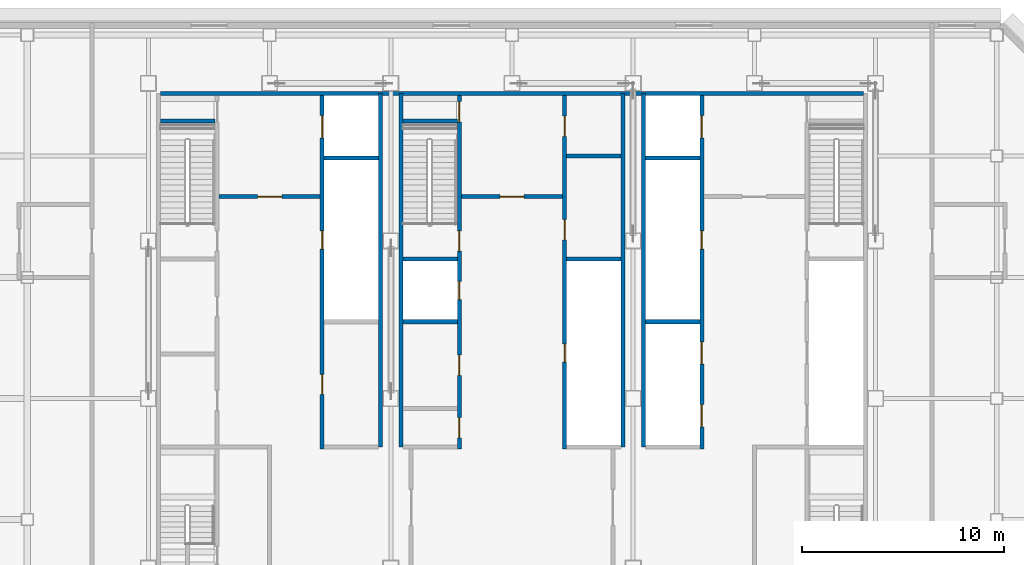
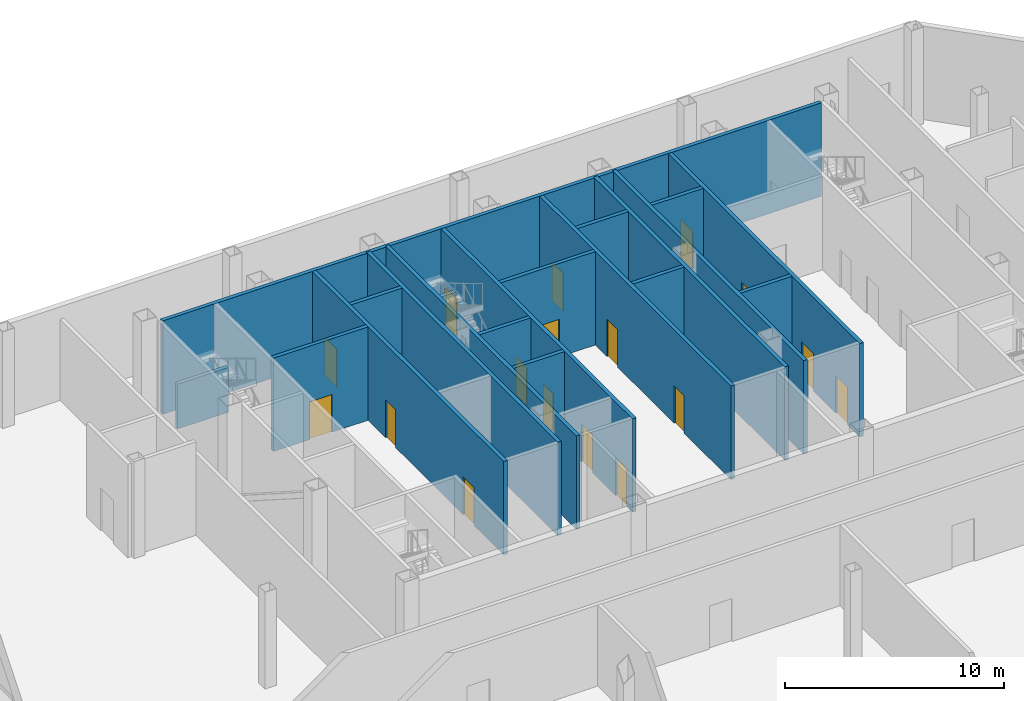
# One storey, part 5 of 11: 20 walls, 17 doors, 17 openings.
"""IFC4 building model written with IfcOpenShell, lengths in metres."""

from ifc_helpers import new_model, si_unit, direction, frame, frame_2d, origin, place, context, subcontext, project, spatial, rectangle, extrude, material, layer, layer_set, type_object, element, fill, save


model = new_model("IFC4")

# Units and contexts
model_context = context("Model", 3, precision=1e-05, world=origin(), true_north=direction((0.0, 1.0)))
body_context = subcontext(model_context, "Body", "Model", "MODEL_VIEW")
ifc_project = project(units=[si_unit("LENGTHUNIT", "METRE"), si_unit("AREAUNIT", "SQUARE_METRE"), si_unit("VOLUMEUNIT", "CUBIC_METRE"), si_unit("PLANEANGLEUNIT", "RADIAN"), si_unit("MASSUNIT", "GRAM", prefix="KILO")], contexts=[model_context])

# Site, building, storey
site_placement = place(None, origin())
site = spatial("IfcSite", under=ifc_project, at=site_placement, CompositionType="ELEMENT")
building_placement = place(site_placement, origin())
building = spatial("IfcBuilding", under=site, at=building_placement, Name="Sorahane Residences", CompositionType="ELEMENT")
storey_placement = place(building_placement, frame((0.0, 0.0, 234.199951171875)))
storey = spatial("IfcBuildingStorey", under=building, at=storey_placement, Name="L55", CompositionType="ELEMENT", Elevation=234.199951171875)

# Walls
ifc_material_1 = material(Name="Concrete C30", Category="concrete")
ifc_layer_1 = layer(ifc_material_1, 0.199951171875)
ifc_layer_set_1 = layer_set([ifc_layer_1], Name="Core face wall 200 EI 180")
wall_type_1 = type_object("IfcWallType", Name="Core face wall 200 EI 180", PredefinedType="SOLIDWALL", material=ifc_layer_set_1)
wall_1_placement = place(storey_placement, frame((6.60009765625, 45.10009765625, 0.0), z_axis=(0.0, 0.0, 1.0), x_axis=(1.0, 0.0, 0.0)))
element("IfcWall", 1, at=wall_1_placement, inside=storey, type_object=wall_type_1, Name="L55 core face wall", PredefinedType="SOLIDWALL", context=body_context, shape_type="SweptSolid", body=[
    extrude(rectangle(XDim=34.7998046875, YDim=0.199951171875, at=frame_2d((17.39990234375, 0.0))), origin(), (0.0, 0.0, 1.0), 5.219970703125),
])
for number, where, z_axis, x_axis, name in (
    (2, (17.5, 27.60009765625, 0.0), (0.0, 0.0, 1.0), (0.0, 1.0, 0.0), "L55 core face wall"),
    (3, (18.5, 27.60009765625, 0.0), (0.0, 0.0, 1.0), (0.0, 1.0, 0.0), "L55 core face wall"),
    (4, (29.5, 27.60009765625, 0.0), (0.0, 0.0, 1.0), (0.0, 1.0, 0.0), "L55 core face wall"),
    (5, (30.5, 27.60009765625, 0.0), (0.0, 0.0, 1.0), (0.0, 1.0, 0.0), "L55 core face wall"),
):
    element("IfcWall", number, at=place(storey_placement, frame(where, z_axis=z_axis, x_axis=x_axis)), inside=storey, type_object=wall_type_1, Name=name, PredefinedType="SOLIDWALL", context=body_context, shape_type="SweptSolid", body=[
        extrude(rectangle(XDim=17.5, YDim=0.199951171875, at=frame_2d((8.75, 0.0))), origin(), (0.0, 0.0, 1.0), 5.219970703125),
    ])

# Wall, opening, door
ifc_material_2 = material(Name="Concrete C30", Category="concrete")
ifc_layer_2 = layer(ifc_material_2, 0.199951171875)
ifc_layer_set_2 = layer_set([ifc_layer_2], Name="Front room wall 200 EI 120")
wall_type_2 = type_object("IfcWallType", Name="Front room wall 200 EI 120", PredefinedType="PARTITIONING", material=ifc_layer_set_2)
wall_2_placement = place(storey_placement, frame((21.5, 40.0, 0.0), z_axis=(0.0, 0.0, 1.0), x_axis=(1.0, 0.0, 0.0)))
wall_2 = element("IfcWall", 6, at=wall_2_placement, inside=storey, type_object=wall_type_2, Name="L55 front room wall", PredefinedType="PARTITIONING", context=body_context, shape_type="SweptSolid", body=[
    extrude(rectangle(XDim=5.0, YDim=0.199951171875, at=frame_2d((2.5, 0.0))), origin(), (0.0, 0.0, 1.0), 5.219970703125),
])
opening_1_placement = place(wall_2_placement, frame((1.89990234375, 0.0, 0.0)))
opening_1 = element("IfcOpeningElement", 7, at=opening_1_placement, cuts=wall_2, Name="Opening L55-C09", PredefinedType="OPENING", context=body_context, shape_type="SweptSolid", body=[
    extrude(rectangle(XDim=1.199951171875, YDim=2.10009765625, at=frame_2d((0.60009765625, 1.050048828125))), frame((0.0, 0.10986328125, 0.0), z_axis=(0.0, -1.0, 0.0), x_axis=(1.0, 0.0, 0.0)), (0.0, 0.0, 1.0), 0.219970703125),
])
ifc_material_3 = material(Name="Steel", Category="steel")
door_type_1 = type_object("IfcDoorType", Name="Front room door 1200x2100 FD120", OperationType="NOTDEFINED", PredefinedType="DOOR", material=ifc_material_3)
door_1_placement = place(opening_1_placement, frame((1.199951171875, 0.0, 0.0), z_axis=(0.0, 0.0, 1.0), x_axis=(-1.0, 0.0, 0.0)))
door_1 = element("IfcDoor", 8, at=door_1_placement, inside=storey, type_object=door_type_1, Name="Front room door Stair S3 vestibule L55", OperationType="DOUBLE_DOOR_SINGLE_SWING", OverallHeight=2.10009765625, OverallWidth=1.199951171875, PredefinedType="DOOR", context=body_context, shape_type="SweptSolid", body=[
    extrude(rectangle(XDim=1.199951171875, YDim=2.10009765625, at=frame_2d((0.60009765625, 1.050048828125))), frame((0.0, 0.02490234375, 0.0), z_axis=(0.0, -1.0, 0.0), x_axis=(1.0, 0.0, 0.0)), (0.0, 0.0, 1.0), 0.050048828125),
])
fill(opening_1, door_1)

wall_3_placement = place(storey_placement, frame((9.5, 40.0, 0.0), z_axis=(0.0, 0.0, 1.0), x_axis=(1.0, 0.0, 0.0)))
wall_3 = element("IfcWall", 9, at=wall_3_placement, inside=storey, type_object=wall_type_2, Name="L55 front room wall", PredefinedType="PARTITIONING", context=body_context, shape_type="SweptSolid", body=[
    extrude(rectangle(XDim=5.0, YDim=0.199951171875, at=frame_2d((2.5, 0.0))), origin(), (0.0, 0.0, 1.0), 5.219970703125),
])
opening_2_placement = place(wall_3_placement, frame((1.89990234375, 0.0, 0.0)))
opening_2 = element("IfcOpeningElement", 10, at=opening_2_placement, cuts=wall_3, Name="Opening L55-C08", PredefinedType="OPENING", context=body_context, shape_type="SweptSolid", body=[
    extrude(rectangle(XDim=1.199951171875, YDim=2.10009765625, at=frame_2d((0.60009765625, 1.050048828125))), frame((0.0, 0.10986328125, 0.0), z_axis=(0.0, -1.0, 0.0), x_axis=(1.0, 0.0, 0.0)), (0.0, 0.0, 1.0), 0.219970703125),
])
door_2_placement = place(opening_2_placement, frame((1.199951171875, 0.0, 0.0), z_axis=(0.0, 0.0, 1.0), x_axis=(-1.0, 0.0, 0.0)))
door_2 = element("IfcDoor", 11, at=door_2_placement, inside=storey, type_object=door_type_1, Name="Front room door Firefighting lobby FF1 front room L55", OperationType="DOUBLE_DOOR_SINGLE_SWING", OverallHeight=2.10009765625, OverallWidth=1.199951171875, PredefinedType="DOOR", context=body_context, shape_type="SweptSolid", body=[
    extrude(rectangle(XDim=1.199951171875, YDim=2.10009765625, at=frame_2d((0.60009765625, 1.050048828125))), frame((0.0, 0.02490234375, 0.0), z_axis=(0.0, -1.0, 0.0), x_axis=(1.0, 0.0, 0.0)), (0.0, 0.0, 1.0), 0.050048828125),
])
fill(opening_2, door_2)

# Wall, openings, doors
ifc_material_4 = material(Name="Concrete C30", Category="concrete")
ifc_layer_3 = layer(ifc_material_4, 0.199951171875)
ifc_layer_set_3 = layer_set([ifc_layer_3], Name="Lift shaft wall 200 EI 120")
wall_type_3 = type_object("IfcWallType", Name="Lift shaft wall 200 EI 120", PredefinedType="SOLIDWALL", material=ifc_layer_set_3)
wall_4_placement = place(storey_placement, frame((14.60009765625, 27.5, 0.0), z_axis=(0.0, 0.0, 1.0), x_axis=(0.0, 1.0, 0.0)))
wall_4 = element("IfcWall", 12, at=wall_4_placement, inside=storey, type_object=wall_type_3, Name="L55 lift shaft wall", PredefinedType="SOLIDWALL", context=body_context, shape_type="SweptSolid", body=[
    extrude(rectangle(XDim=17.5, YDim=0.199951171875, at=frame_2d((8.75, 0.0))), origin(), (0.0, 0.0, 1.0), 5.219970703125),
])
opening_3_placement = place(wall_4_placement, frame((15.39990234375, 0.0, 0.0)))
opening_3 = element("IfcOpeningElement", 13, at=opening_3_placement, cuts=wall_4, Name="Opening L55-C17", PredefinedType="OPENING", context=body_context, shape_type="SweptSolid", body=[
    extrude(rectangle(XDim=1.10009765625, YDim=2.10009765625, at=frame_2d((0.550048828125, 1.050048828125))), frame((0.0, 0.10986328125, 0.0), z_axis=(0.0, -1.0, 0.0), x_axis=(1.0, 0.0, 0.0)), (0.0, 0.0, 1.0), 0.219970703125),
])
opening_4_placement = place(wall_4_placement, frame((2.699951171875, 0.0, 0.0)))
opening_4 = element("IfcOpeningElement", 14, at=opening_4_placement, cuts=wall_4, Name="Opening L55-C20", PredefinedType="OPENING", context=body_context, shape_type="SweptSolid", body=[
    extrude(rectangle(XDim=1.0, YDim=2.10009765625, at=frame_2d((0.5, 1.050048828125))), frame((0.0, 0.10986328125, 0.0), z_axis=(0.0, -1.0, 0.0), x_axis=(1.0, 0.0, 0.0)), (0.0, 0.0, 1.0), 0.219970703125),
])
opening_5_placement = place(wall_4_placement, frame((9.89990234375, 0.0, 0.0)))
opening_5 = element("IfcOpeningElement", 15, at=opening_5_placement, cuts=wall_4, Name="Opening L55-C33", PredefinedType="OPENING", context=body_context, shape_type="SweptSolid", body=[
    extrude(rectangle(XDim=0.89990234375, YDim=2.10009765625, at=frame_2d((0.449951171875, 1.050048828125))), frame((0.0, 0.10986328125, 0.0), z_axis=(0.0, -1.0, 0.0), x_axis=(1.0, 0.0, 0.0)), (0.0, 0.0, 1.0), 0.219970703125),
])
ifc_material_5 = material(Name="Aluminium and stainless steel", Category="steel")
door_type_2 = type_object("IfcDoorType", Name="Lift landing door 1100x2100 E 60", OperationType="NOTDEFINED", PredefinedType="DOOR", material=ifc_material_5)
door_3_placement = place(opening_3_placement, origin())
door_3 = element("IfcDoor", 16, at=door_3_placement, inside=storey, type_object=door_type_2, Name="Lift landing door FF1 L55", OperationType="DOUBLE_DOOR_SLIDING", OverallHeight=2.10009765625, OverallWidth=1.10009765625, PredefinedType="DOOR", context=body_context, shape_type="SweptSolid", body=[
    extrude(rectangle(XDim=1.10009765625, YDim=2.10009765625, at=frame_2d((0.550048828125, 1.050048828125))), frame((0.0, 0.02490234375, 0.0), z_axis=(0.0, -1.0, 0.0), x_axis=(1.0, 0.0, 0.0)), (0.0, 0.0, 1.0), 0.050048828125),
])
fill(opening_3, door_3)
ifc_material_6 = material(Name="Steel", Category="steel")
door_type_3 = type_object("IfcDoorType", Name="Riser door 900x2100 FD120", OperationType="NOTDEFINED", PredefinedType="DOOR", material=ifc_material_6)
door_4_placement = place(opening_5_placement, origin())
door_4 = element("IfcDoor", 17, at=door_4_placement, inside=storey, type_object=door_type_3, Name="Riser door R1 L55", OperationType="SINGLE_SWING_LEFT", OverallHeight=2.10009765625, OverallWidth=0.89990234375, PredefinedType="DOOR", context=body_context, shape_type="SweptSolid", body=[
    extrude(rectangle(XDim=0.89990234375, YDim=2.10009765625, at=frame_2d((0.449951171875, 1.050048828125))), frame((0.0, 0.02490234375, 0.0), z_axis=(0.0, -1.0, 0.0), x_axis=(1.0, 0.0, 0.0)), (0.0, 0.0, 1.0), 0.050048828125),
])
fill(opening_5, door_4)
ifc_material_7 = material(Name="Steel", Category="steel")
door_type_4 = type_object("IfcDoorType", Name="Service room door 1000x2100 FD60", OperationType="NOTDEFINED", PredefinedType="DOOR", material=ifc_material_7)
door_5_placement = place(opening_4_placement, frame((1.0, 0.0, 0.0), z_axis=(0.0, 0.0, 1.0), x_axis=(-1.0, 0.0, 0.0)))
door_5 = element("IfcDoor", 18, at=door_5_placement, inside=storey, type_object=door_type_4, Name="Service room door Audio room L55", OperationType="SINGLE_SWING_RIGHT", OverallHeight=2.10009765625, OverallWidth=1.0, PredefinedType="DOOR", context=body_context, shape_type="SweptSolid", body=[
    extrude(rectangle(XDim=1.0, YDim=2.10009765625, at=frame_2d((0.5, 1.050048828125))), frame((0.0, 0.02490234375, 0.0), z_axis=(0.0, -1.0, 0.0), x_axis=(1.0, 0.0, 0.0)), (0.0, 0.0, 1.0), 0.050048828125),
])
fill(opening_4, door_5)

wall_5_placement = place(storey_placement, frame((33.39990234375, 27.5, 0.0), z_axis=(0.0, 0.0, 1.0), x_axis=(0.0, 1.0, 0.0)))
wall_5 = element("IfcWall", 19, at=wall_5_placement, inside=storey, type_object=wall_type_3, Name="L55 lift shaft wall", PredefinedType="SOLIDWALL", context=body_context, shape_type="SweptSolid", body=[
    extrude(rectangle(XDim=17.5, YDim=0.199951171875, at=frame_2d((8.75, 0.0))), origin(), (0.0, 0.0, 1.0), 5.219970703125),
])
opening_6_placement = place(wall_5_placement, frame((1.10009765625, 0.0, 0.0)))
opening_6 = element("IfcOpeningElement", 20, at=opening_6_placement, cuts=wall_5, Name="Opening L55-C14", PredefinedType="OPENING", context=body_context, shape_type="SweptSolid", body=[
    extrude(rectangle(XDim=1.10009765625, YDim=2.10009765625, at=frame_2d((0.550048828125, 1.050048828125))), frame((0.0, 0.10986328125, 0.0), z_axis=(0.0, -1.0, 0.0), x_axis=(1.0, 0.0, 0.0)), (0.0, 0.0, 1.0), 0.219970703125),
])
opening_7_placement = place(wall_5_placement, frame((4.199951171875, 0.0, 0.0)))
opening_7 = element("IfcOpeningElement", 21, at=opening_7_placement, cuts=wall_5, Name="Opening L55-C15", PredefinedType="OPENING", context=body_context, shape_type="SweptSolid", body=[
    extrude(rectangle(XDim=1.10009765625, YDim=2.10009765625, at=frame_2d((0.550048828125, 1.050048828125))), frame((0.0, 0.10986328125, 0.0), z_axis=(0.0, -1.0, 0.0), x_axis=(1.0, 0.0, 0.0)), (0.0, 0.0, 1.0), 0.219970703125),
])
opening_8_placement = place(wall_5_placement, frame((15.39990234375, 0.0, 0.0)))
opening_8 = element("IfcOpeningElement", 22, at=opening_8_placement, cuts=wall_5, Name="Opening L55-C16", PredefinedType="OPENING", context=body_context, shape_type="SweptSolid", body=[
    extrude(rectangle(XDim=1.10009765625, YDim=2.10009765625, at=frame_2d((0.550048828125, 1.050048828125))), frame((0.0, 0.10986328125, 0.0), z_axis=(0.0, -1.0, 0.0), x_axis=(1.0, 0.0, 0.0)), (0.0, 0.0, 1.0), 0.219970703125),
])
opening_9_placement = place(wall_5_placement, frame((9.89990234375, 0.0, 0.0)))
opening_9 = element("IfcOpeningElement", 23, at=opening_9_placement, cuts=wall_5, Name="Opening L55-C34", PredefinedType="OPENING", context=body_context, shape_type="SweptSolid", body=[
    extrude(rectangle(XDim=0.89990234375, YDim=2.10009765625, at=frame_2d((0.449951171875, 1.050048828125))), frame((0.0, 0.10986328125, 0.0), z_axis=(0.0, -1.0, 0.0), x_axis=(1.0, 0.0, 0.0)), (0.0, 0.0, 1.0), 0.219970703125),
])
door_6_placement = place(opening_6_placement, origin())
door_6 = element("IfcDoor", 24, at=door_6_placement, inside=storey, type_object=door_type_2, Name="Lift landing door HR4 L55", OperationType="DOUBLE_DOOR_SLIDING", OverallHeight=2.10009765625, OverallWidth=1.10009765625, PredefinedType="DOOR", context=body_context, shape_type="SweptSolid", body=[
    extrude(rectangle(XDim=1.10009765625, YDim=2.10009765625, at=frame_2d((0.550048828125, 1.050048828125))), frame((0.0, 0.02490234375, 0.0), z_axis=(0.0, -1.0, 0.0), x_axis=(1.0, 0.0, 0.0)), (0.0, 0.0, 1.0), 0.050048828125),
])
fill(opening_6, door_6)
door_7_placement = place(opening_7_placement, origin())
door_7 = element("IfcDoor", 25, at=door_7_placement, inside=storey, type_object=door_type_2, Name="Lift landing door HR5 L55", OperationType="DOUBLE_DOOR_SLIDING", OverallHeight=2.10009765625, OverallWidth=1.10009765625, PredefinedType="DOOR", context=body_context, shape_type="SweptSolid", body=[
    extrude(rectangle(XDim=1.10009765625, YDim=2.10009765625, at=frame_2d((0.550048828125, 1.050048828125))), frame((0.0, 0.02490234375, 0.0), z_axis=(0.0, -1.0, 0.0), x_axis=(1.0, 0.0, 0.0)), (0.0, 0.0, 1.0), 0.050048828125),
])
fill(opening_7, door_7)
door_8_placement = place(opening_8_placement, origin())
door_8 = element("IfcDoor", 26, at=door_8_placement, inside=storey, type_object=door_type_2, Name="Lift landing door FF2 L55", OperationType="DOUBLE_DOOR_SLIDING", OverallHeight=2.10009765625, OverallWidth=1.10009765625, PredefinedType="DOOR", context=body_context, shape_type="SweptSolid", body=[
    extrude(rectangle(XDim=1.10009765625, YDim=2.10009765625, at=frame_2d((0.550048828125, 1.050048828125))), frame((0.0, 0.02490234375, 0.0), z_axis=(0.0, -1.0, 0.0), x_axis=(1.0, 0.0, 0.0)), (0.0, 0.0, 1.0), 0.050048828125),
])
fill(opening_8, door_8)
door_9_placement = place(opening_9_placement, frame((0.89990234375, 0.0, 0.0), z_axis=(0.0, 0.0, 1.0), x_axis=(-1.0, 0.0, 0.0)))
door_9 = element("IfcDoor", 27, at=door_9_placement, inside=storey, type_object=door_type_3, Name="Riser door R2 L55", OperationType="SINGLE_SWING_LEFT", OverallHeight=2.10009765625, OverallWidth=0.89990234375, PredefinedType="DOOR", context=body_context, shape_type="SweptSolid", body=[
    extrude(rectangle(XDim=0.89990234375, YDim=2.10009765625, at=frame_2d((0.449951171875, 1.050048828125))), frame((0.0, 0.02490234375, 0.0), z_axis=(0.0, -1.0, 0.0), x_axis=(1.0, 0.0, 0.0)), (0.0, 0.0, 1.0), 0.050048828125),
])
fill(opening_9, door_9)

# Walls
for number, where, z_axis, x_axis, name in (
    (28, (30.60009765625, 33.800048828125, 0.0), (0.0, 0.0, 1.0), (1.0, 0.0, 0.0), "L55 lift shaft wall"),
    (29, (14.699951171875, 41.89990234375, 0.0), (0.0, 0.0, 1.0), (1.0, 0.0, 0.0), "L55 lift shaft wall"),
    (30, (30.60009765625, 41.89990234375, 0.0), (0.0, 0.0, 1.0), (1.0, 0.0, 0.0), "L55 lift shaft wall"),
):
    element("IfcWall", number, at=place(storey_placement, frame(where, z_axis=z_axis, x_axis=x_axis)), inside=storey, type_object=wall_type_3, Name=name, PredefinedType="SOLIDWALL", context=body_context, shape_type="SweptSolid", body=[
        extrude(rectangle(XDim=2.699951171875, YDim=0.199951171875, at=frame_2d((1.35009765625, 0.0))), origin(), (0.0, 0.0, 1.0), 5.219970703125),
    ])

# Wall, openings, doors
ifc_material_8 = material(Name="Concrete C30", Category="concrete")
ifc_layer_4 = layer(ifc_material_8, 0.199951171875)
ifc_layer_set_4 = layer_set([ifc_layer_4], Name="Riser shaft wall 200 EI 120")
wall_type_4 = type_object("IfcWallType", Name="Riser shaft wall 200 EI 120", PredefinedType="SOLIDWALL", material=ifc_layer_set_4)
wall_6_placement = place(storey_placement, frame((26.60009765625, 27.5, 0.0), z_axis=(0.0, 0.0, 1.0), x_axis=(0.0, 1.0, 0.0)))
wall_6 = element("IfcWall", 31, at=wall_6_placement, inside=storey, type_object=wall_type_4, Name="L55 riser wall", PredefinedType="SOLIDWALL", context=body_context, shape_type="SweptSolid", body=[
    extrude(rectangle(XDim=17.5, YDim=0.199951171875, at=frame_2d((8.75, 0.0))), origin(), (0.0, 0.0, 1.0), 5.219970703125),
])
opening_10_placement = place(wall_6_placement, frame((4.300048828125, 0.0, 0.0)))
opening_10 = element("IfcOpeningElement", 32, at=opening_10_placement, cuts=wall_6, Name="Opening L55-C36", PredefinedType="OPENING", context=body_context, shape_type="SweptSolid", body=[
    extrude(rectangle(XDim=0.89990234375, YDim=2.10009765625, at=frame_2d((0.449951171875, 1.050048828125))), frame((0.0, 0.10986328125, 0.0), z_axis=(0.0, -1.0, 0.0), x_axis=(1.0, 0.0, 0.0)), (0.0, 0.0, 1.0), 0.219970703125),
])
opening_11_placement = place(wall_6_placement, frame((10.35009765625, 0.0, 0.0)))
opening_11 = element("IfcOpeningElement", 33, at=opening_11_placement, cuts=wall_6, Name="Opening L55-C37", PredefinedType="OPENING", context=body_context, shape_type="SweptSolid", body=[
    extrude(rectangle(XDim=1.0, YDim=2.10009765625, at=frame_2d((0.5, 1.050048828125))), frame((0.0, 0.10986328125, 0.0), z_axis=(0.0, -1.0, 0.0), x_axis=(1.0, 0.0, 0.0)), (0.0, 0.0, 1.0), 0.219970703125),
])
opening_12_placement = place(wall_6_placement, frame((15.47509765625, 0.0, 0.0)))
opening_12 = element("IfcOpeningElement", 34, at=opening_12_placement, cuts=wall_6, Name="Opening L55-C38", PredefinedType="OPENING", context=body_context, shape_type="SweptSolid", body=[
    extrude(rectangle(XDim=1.0, YDim=2.10009765625, at=frame_2d((0.5, 1.050048828125))), frame((0.0, 0.10986328125, 0.0), z_axis=(0.0, -1.0, 0.0), x_axis=(1.0, 0.0, 0.0)), (0.0, 0.0, 1.0), 0.219970703125),
])
door_10_placement = place(opening_10_placement, origin())
door_10 = element("IfcDoor", 35, at=door_10_placement, inside=storey, type_object=door_type_3, Name="Riser door R4 L55", OperationType="SINGLE_SWING_LEFT", OverallHeight=2.10009765625, OverallWidth=0.89990234375, PredefinedType="DOOR", context=body_context, shape_type="SweptSolid", body=[
    extrude(rectangle(XDim=0.89990234375, YDim=2.10009765625, at=frame_2d((0.449951171875, 1.050048828125))), frame((0.0, 0.02490234375, 0.0), z_axis=(0.0, -1.0, 0.0), x_axis=(1.0, 0.0, 0.0)), (0.0, 0.0, 1.0), 0.050048828125),
])
fill(opening_10, door_10)
door_11_placement = place(opening_11_placement, frame((1.0, 0.0, 0.0), z_axis=(0.0, 0.0, 1.0), x_axis=(-1.0, 0.0, 0.0)))
door_11 = element("IfcDoor", 36, at=door_11_placement, inside=storey, type_object=door_type_4, Name="Service room door Parcel room L55", OperationType="SINGLE_SWING_LEFT", OverallHeight=2.10009765625, OverallWidth=1.0, PredefinedType="DOOR", context=body_context, shape_type="SweptSolid", body=[
    extrude(rectangle(XDim=1.0, YDim=2.10009765625, at=frame_2d((0.5, 1.050048828125))), frame((0.0, 0.02490234375, 0.0), z_axis=(0.0, -1.0, 0.0), x_axis=(1.0, 0.0, 0.0)), (0.0, 0.0, 1.0), 0.050048828125),
])
fill(opening_11, door_11)
door_12_placement = place(opening_12_placement, frame((1.0, 0.0, 0.0), z_axis=(0.0, 0.0, 1.0), x_axis=(-1.0, 0.0, 0.0)))
door_12 = element("IfcDoor", 37, at=door_12_placement, inside=storey, type_object=door_type_4, Name="Service room door Refuse room L55", OperationType="SINGLE_SWING_RIGHT", OverallHeight=2.10009765625, OverallWidth=1.0, PredefinedType="DOOR", context=body_context, shape_type="SweptSolid", body=[
    extrude(rectangle(XDim=1.0, YDim=2.10009765625, at=frame_2d((0.5, 1.050048828125))), frame((0.0, 0.02490234375, 0.0), z_axis=(0.0, -1.0, 0.0), x_axis=(1.0, 0.0, 0.0)), (0.0, 0.0, 1.0), 0.050048828125),
])
fill(opening_12, door_12)

# Walls
for number, where, z_axis, x_axis, name in (
    (38, (18.60009765625, 33.800048828125, 0.0), (0.0, 0.0, 1.0), (1.0, 0.0, 0.0), "L55 riser wall"),
    (39, (26.699951171875, 36.89990234375, 0.0), (0.0, 0.0, 1.0), (1.0, 0.0, 0.0), "L55 riser wall"),
):
    element("IfcWall", number, at=place(storey_placement, frame(where, z_axis=z_axis, x_axis=x_axis)), inside=storey, type_object=wall_type_4, Name=name, PredefinedType="SOLIDWALL", context=body_context, shape_type="SweptSolid", body=[
        extrude(rectangle(XDim=2.699951171875, YDim=0.199951171875, at=frame_2d((1.35009765625, 0.0))), origin(), (0.0, 0.0, 1.0), 5.219970703125),
    ])
ifc_material_9 = material(Name="Concrete C30", Category="concrete")
ifc_layer_5 = layer(ifc_material_9, 0.199951171875)
ifc_layer_set_5 = layer_set([ifc_layer_5], Name="Service room partition 200 EI 60")
wall_type_5 = type_object("IfcWallType", Name="Service room partition 200 EI 60", PredefinedType="PARTITIONING", material=ifc_layer_set_5)
wall_7_placement = place(storey_placement, frame((26.699951171875, 42.0, 0.0), z_axis=(0.0, 0.0, 1.0), x_axis=(1.0, 0.0, 0.0)))
element("IfcWall", 40, at=wall_7_placement, inside=storey, type_object=wall_type_5, Name="L55 service room wall", PredefinedType="PARTITIONING", context=body_context, shape_type="SweptSolid", body=[
    extrude(rectangle(XDim=2.699951171875, YDim=0.199951171875, at=frame_2d((1.35009765625, 0.0))), origin(), (0.0, 0.0, 1.0), 5.219970703125),
])

# Wall, openings, doors
ifc_material_10 = material(Name="Concrete C30", Category="concrete")
ifc_layer_6 = layer(ifc_material_10, 0.199951171875)
ifc_layer_set_6 = layer_set([ifc_layer_6], Name="Stair enclosure wall 200 EI 120")
wall_type_6 = type_object("IfcWallType", Name="Stair enclosure wall 200 EI 120", PredefinedType="SOLIDWALL", material=ifc_layer_set_6)
wall_8_placement = place(storey_placement, frame((21.39990234375, 27.5, 0.0), z_axis=(0.0, 0.0, 1.0), x_axis=(0.0, 1.0, 0.0)))
wall_8 = element("IfcWall", 41, at=wall_8_placement, inside=storey, type_object=wall_type_6, Name="L55 stair enclosure wall", PredefinedType="SOLIDWALL", context=body_context, shape_type="SweptSolid", body=[
    extrude(rectangle(XDim=17.5, YDim=0.199951171875, at=frame_2d((8.75, 0.0))), origin(), (0.0, 0.0, 1.0), 5.219970703125),
])
opening_13_placement = place(wall_8_placement, frame((0.550048828125, 0.0, 0.0)))
opening_13 = element("IfcOpeningElement", 42, at=opening_13_placement, cuts=wall_8, Name="Opening L55-C18", PredefinedType="OPENING", context=body_context, shape_type="SweptSolid", body=[
    extrude(rectangle(XDim=1.0, YDim=2.10009765625, at=frame_2d((0.5, 1.050048828125))), frame((0.0, 0.10986328125, 0.0), z_axis=(0.0, -1.0, 0.0), x_axis=(1.0, 0.0, 0.0)), (0.0, 0.0, 1.0), 0.219970703125),
])
opening_14_placement = place(wall_8_placement, frame((3.64990234375, 0.0, 0.0)))
opening_14 = element("IfcOpeningElement", 43, at=opening_14_placement, cuts=wall_8, Name="Opening L55-C19", PredefinedType="OPENING", context=body_context, shape_type="SweptSolid", body=[
    extrude(rectangle(XDim=1.0, YDim=2.10009765625, at=frame_2d((0.5, 1.050048828125))), frame((0.0, 0.10986328125, 0.0), z_axis=(0.0, -1.0, 0.0), x_axis=(1.0, 0.0, 0.0)), (0.0, 0.0, 1.0), 0.219970703125),
])
opening_15_placement = place(wall_8_placement, frame((16.199951171875, 0.0, 0.0)))
opening_15 = element("IfcOpeningElement", 44, at=opening_15_placement, cuts=wall_8, Name="Opening L55-C27", PredefinedType="OPENING", context=body_context, shape_type="SweptSolid", body=[
    extrude(rectangle(XDim=1.0, YDim=2.10009765625, at=frame_2d((0.5, 1.050048828125))), frame((0.0, 0.10986328125, 0.0), z_axis=(0.0, -1.0, 0.0), x_axis=(1.0, 0.0, 0.0)), (0.0, 0.0, 1.0), 0.219970703125),
])
opening_16_placement = place(wall_8_placement, frame((9.800048828125, 0.0, 0.0)))
opening_16 = element("IfcOpeningElement", 45, at=opening_16_placement, cuts=wall_8, Name="Opening L55-C28", PredefinedType="OPENING", context=body_context, shape_type="SweptSolid", body=[
    extrude(rectangle(XDim=1.0, YDim=2.10009765625, at=frame_2d((0.5, 1.050048828125))), frame((0.0, 0.10986328125, 0.0), z_axis=(0.0, -1.0, 0.0), x_axis=(1.0, 0.0, 0.0)), (0.0, 0.0, 1.0), 0.219970703125),
])
opening_17_placement = place(wall_8_placement, frame((7.39990234375, 0.0, 0.0)))
opening_17 = element("IfcOpeningElement", 46, at=opening_17_placement, cuts=wall_8, Name="Opening L55-C35", PredefinedType="OPENING", context=body_context, shape_type="SweptSolid", body=[
    extrude(rectangle(XDim=0.89990234375, YDim=2.10009765625, at=frame_2d((0.449951171875, 1.050048828125))), frame((0.0, 0.10986328125, 0.0), z_axis=(0.0, -1.0, 0.0), x_axis=(1.0, 0.0, 0.0)), (0.0, 0.0, 1.0), 0.219970703125),
])
ifc_material_11 = material(Name="Steel", Category="steel")
door_type_5 = type_object("IfcDoorType", Name="Refuge stair door 1000x2100 FD120", OperationType="NOTDEFINED", PredefinedType="DOOR", material=ifc_material_11)
door_13_placement = place(opening_15_placement, origin())
door_13 = element("IfcDoor", 47, at=door_13_placement, inside=storey, type_object=door_type_5, Name="Refuge stair door S3 L55", OperationType="SINGLE_SWING_LEFT", OverallHeight=2.10009765625, OverallWidth=1.0, PredefinedType="DOOR", context=body_context, shape_type="SweptSolid", body=[
    extrude(rectangle(XDim=1.0, YDim=2.10009765625, at=frame_2d((0.5, 1.050048828125))), frame((0.0, 0.02490234375, 0.0), z_axis=(0.0, -1.0, 0.0), x_axis=(1.0, 0.0, 0.0)), (0.0, 0.0, 1.0), 0.050048828125),
])
fill(opening_15, door_13)
door_14_placement = place(opening_16_placement, origin())
door_14 = element("IfcDoor", 48, at=door_14_placement, inside=storey, type_object=door_type_5, Name="Refuge stair door S3 L55", OperationType="SINGLE_SWING_LEFT", OverallHeight=2.10009765625, OverallWidth=1.0, PredefinedType="DOOR", context=body_context, shape_type="SweptSolid", body=[
    extrude(rectangle(XDim=1.0, YDim=2.10009765625, at=frame_2d((0.5, 1.050048828125))), frame((0.0, 0.02490234375, 0.0), z_axis=(0.0, -1.0, 0.0), x_axis=(1.0, 0.0, 0.0)), (0.0, 0.0, 1.0), 0.050048828125),
])
fill(opening_16, door_14)
door_15_placement = place(opening_17_placement, frame((0.89990234375, 0.0, 0.0), z_axis=(0.0, 0.0, 1.0), x_axis=(-1.0, 0.0, 0.0)))
door_15 = element("IfcDoor", 49, at=door_15_placement, inside=storey, type_object=door_type_3, Name="Riser door R3 L55", OperationType="SINGLE_SWING_LEFT", OverallHeight=2.10009765625, OverallWidth=0.89990234375, PredefinedType="DOOR", context=body_context, shape_type="SweptSolid", body=[
    extrude(rectangle(XDim=0.89990234375, YDim=2.10009765625, at=frame_2d((0.449951171875, 1.050048828125))), frame((0.0, 0.02490234375, 0.0), z_axis=(0.0, -1.0, 0.0), x_axis=(1.0, 0.0, 0.0)), (0.0, 0.0, 1.0), 0.050048828125),
])
fill(opening_17, door_15)
door_16_placement = place(opening_13_placement, origin())
door_16 = element("IfcDoor", 50, at=door_16_placement, inside=storey, type_object=door_type_4, Name="Service room door Valet store L55", OperationType="SINGLE_SWING_LEFT", OverallHeight=2.10009765625, OverallWidth=1.0, PredefinedType="DOOR", context=body_context, shape_type="SweptSolid", body=[
    extrude(rectangle(XDim=1.0, YDim=2.10009765625, at=frame_2d((0.5, 1.050048828125))), frame((0.0, 0.02490234375, 0.0), z_axis=(0.0, -1.0, 0.0), x_axis=(1.0, 0.0, 0.0)), (0.0, 0.0, 1.0), 0.050048828125),
])
fill(opening_13, door_16)
door_17_placement = place(opening_14_placement, origin())
door_17 = element("IfcDoor", 51, at=door_17_placement, inside=storey, type_object=door_type_4, Name="Service room door Gift store L55", OperationType="SINGLE_SWING_LEFT", OverallHeight=2.10009765625, OverallWidth=1.0, PredefinedType="DOOR", context=body_context, shape_type="SweptSolid", body=[
    extrude(rectangle(XDim=1.0, YDim=2.10009765625, at=frame_2d((0.5, 1.050048828125))), frame((0.0, 0.02490234375, 0.0), z_axis=(0.0, -1.0, 0.0), x_axis=(1.0, 0.0, 0.0)), (0.0, 0.0, 1.0), 0.050048828125),
])
fill(opening_14, door_17)

# Walls
wall_9_placement = place(storey_placement, frame((18.60009765625, 36.89990234375, 0.0), z_axis=(0.0, 0.0, 1.0), x_axis=(1.0, 0.0, 0.0)))
element("IfcWall", 52, at=wall_9_placement, inside=storey, type_object=wall_type_6, Name="L55 stair enclosure wall", PredefinedType="SOLIDWALL", context=body_context, shape_type="SweptSolid", body=[
    extrude(rectangle(XDim=2.699951171875, YDim=0.199951171875, at=frame_2d((1.35009765625, 0.0))), origin(), (0.0, 0.0, 1.0), 5.219970703125),
])
for number, where, z_axis, x_axis, name in (
    (53, (18.60009765625, 43.75, 0.0), (0.0, 0.0, 1.0), (1.0, 0.0, 0.0), "L55 stair enclosure wall"),
    (54, (6.60009765625, 43.75, 0.0), (0.0, 0.0, 1.0), (1.0, 0.0, 0.0), "L55 stair enclosure wall"),
):
    element("IfcWall", number, at=place(storey_placement, frame(where, z_axis=z_axis, x_axis=x_axis)), inside=storey, type_object=wall_type_6, Name=name, PredefinedType="SOLIDWALL", context=body_context, shape_type="SweptSolid", body=[
        extrude(rectangle(XDim=2.699951171875, YDim=0.199951171875, at=frame_2d((1.35009765625, 0.0))), origin(), (0.0, 0.0, 1.0), 2.5),
    ])

save(model, "model.ifc")
